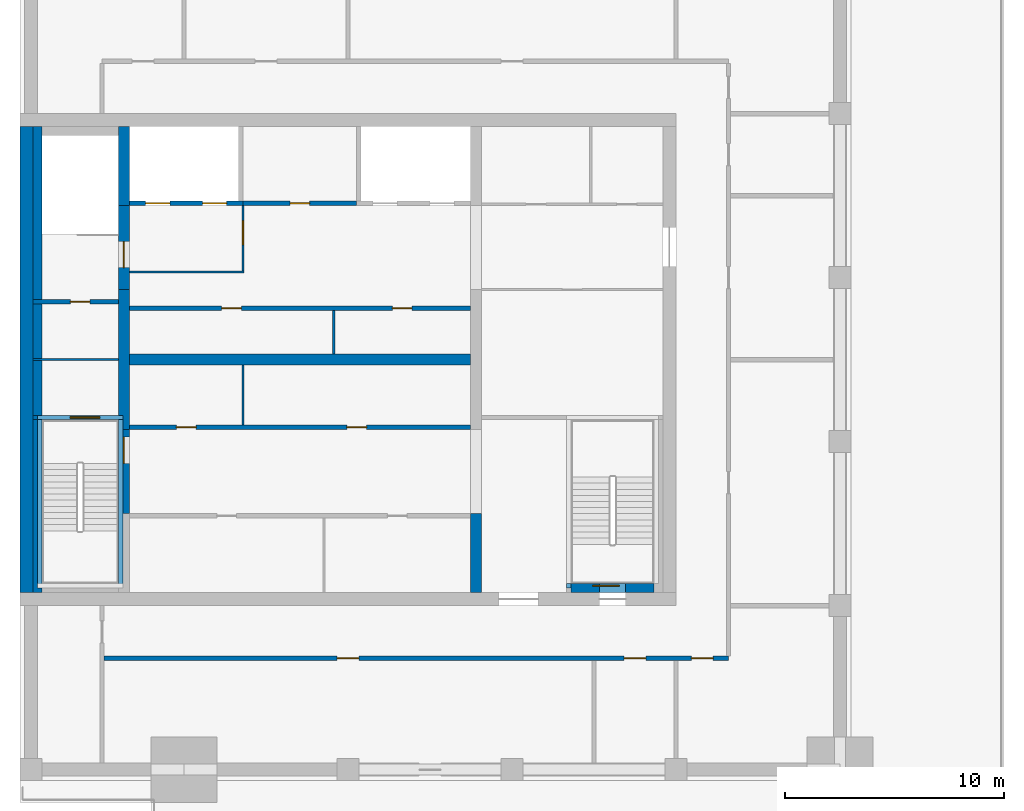
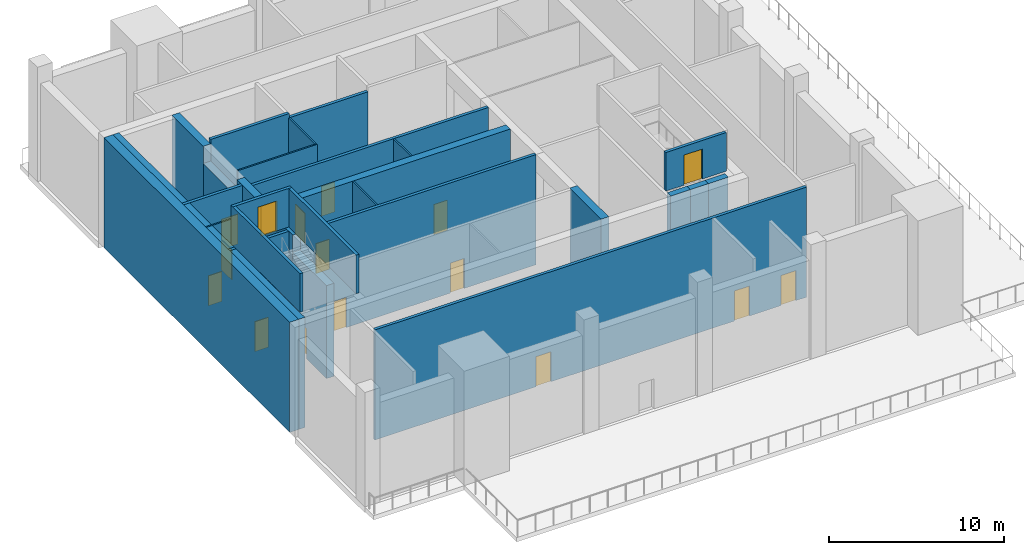
# One storey, part 2 of 7: 27 walls, 17 doors, 17 openings.
"""IFC4 building model written with IfcOpenShell, lengths in metres."""

from ifc_helpers import new_model, si_unit, direction, frame, frame_2d, origin, place, context, subcontext, project, spatial, rectangle, extrude, material, layer, layer_set, type_object, element, fill, save


model = new_model("IFC4")

# Units and contexts
model_context = context("Model", 3, precision=1e-05, world=origin(), true_north=direction((0.0, 1.0)))
body_context = subcontext(model_context, "Body", "Model", "MODEL_VIEW")
ifc_project = project(units=[si_unit("LENGTHUNIT", "METRE"), si_unit("AREAUNIT", "SQUARE_METRE"), si_unit("VOLUMEUNIT", "CUBIC_METRE"), si_unit("PLANEANGLEUNIT", "RADIAN"), si_unit("MASSUNIT", "GRAM", prefix="KILO")], contexts=[model_context])

# Site, building, storey
site_placement = place(None, origin())
site = spatial("IfcSite", under=ifc_project, at=site_placement, CompositionType="ELEMENT")
building_placement = place(site_placement, origin())
building = spatial("IfcBuilding", under=site, at=building_placement, Name="Tamorin Gate", CompositionType="ELEMENT")
storey_placement = place(building_placement, frame((0.0, 0.0, 320.199951171875)))
storey = spatial("IfcBuildingStorey", under=building, at=storey_placement, Name="L78", CompositionType="ELEMENT", Elevation=320.199951171875)

# Walls
ifc_material_1 = material(Name="Concrete C40/50", Category="concrete")
ifc_layer_1 = layer(ifc_material_1, 0.199951171875)
ifc_layer_set_1 = layer_set([ifc_layer_1], Name="Head-house wall 200 EI 120 C40/50")
wall_type_1 = type_object("IfcWallType", Name="Head-house wall 200 EI 120 C40/50", PredefinedType="SOLIDWALL", material=ifc_layer_set_1)
for number, where, z_axis, x_axis, name in (
    (1, (30.89990234375, 60.800048828125, 8.0), (0.0, 0.0, 1.0), (0.0, 1.0, 0.0), "Head-house wall"),
    (2, (34.60009765625, 60.800048828125, 8.0), (0.0, 0.0, 1.0), (0.0, 1.0, 0.0), "Head-house wall"),
):
    element("IfcWall", number, at=place(storey_placement, frame(where, z_axis=z_axis, x_axis=x_axis)), inside=storey, type_object=wall_type_1, Name=name, PredefinedType="SOLIDWALL", context=body_context, shape_type="SweptSolid", body=[
        extrude(rectangle(XDim=7.89990234375, YDim=0.199951171875, at=frame_2d((3.949951171875, 0.0))), origin(), (0.0, 0.0, 1.0), 2.699951171875),
    ])

# Wall, opening, door
wall_1_placement = place(storey_placement, frame((30.800048828125, 68.60009765625, 8.0), z_axis=(0.0, 0.0, 1.0), x_axis=(1.0, 0.0, 0.0)))
wall_1 = element("IfcWall", 3, at=wall_1_placement, inside=storey, type_object=wall_type_1, Name="Head-house wall", PredefinedType="SOLIDWALL", context=body_context, shape_type="SweptSolid", body=[
    extrude(rectangle(XDim=3.89990234375, YDim=0.199951171875, at=frame_2d((1.949951171875, 0.0))), origin(), (0.0, 0.0, 1.0), 2.699951171875),
])
opening_1_placement = place(wall_1_placement, frame((1.64990234375, 0.0, 0.0)))
opening_1 = element("IfcOpeningElement", 4, at=opening_1_placement, cuts=wall_1, Name="Opening DS1", PredefinedType="OPENING", context=body_context, shape_type="SweptSolid", body=[
    extrude(rectangle(XDim=1.199951171875, YDim=2.10009765625, at=frame_2d((0.60009765625, 1.050048828125))), frame((0.0, 0.10986328125, 0.0), z_axis=(0.0, -1.0, 0.0), x_axis=(1.0, 0.0, 0.0)), (0.0, 0.0, 1.0), 0.219970703125),
])
ifc_material_2 = material(Name="Steel fire door", Category="steel")
door_type_1 = type_object("IfcDoorType", Name="Stair door 1200 x 2100 EI 90", OperationType="SINGLE_SWING_LEFT", PredefinedType="DOOR", material=ifc_material_2)
door_1_placement = place(opening_1_placement, origin())
door_1 = element("IfcDoor", 5, at=door_1_placement, inside=storey, type_object=door_type_1, Name="Roof stair door", OperationType="SINGLE_SWING_RIGHT", OverallHeight=2.10009765625, OverallWidth=1.199951171875, PredefinedType="DOOR", context=body_context, shape_type="SweptSolid", body=[
    extrude(rectangle(XDim=1.199951171875, YDim=2.10009765625, at=frame_2d((0.60009765625, 1.050048828125))), frame((0.0, 0.02490234375, 0.0), z_axis=(0.0, -1.0, 0.0), x_axis=(1.0, 0.0, 0.0)), (0.0, 0.0, 1.0), 0.050048828125),
])
fill(opening_1, door_1)

wall_2_placement = place(storey_placement, frame((55.0, 60.89990234375, 8.0), z_axis=(0.0, 0.0, 1.0), x_axis=(1.0, 0.0, 0.0)))
wall_2 = element("IfcWall", 6, at=wall_2_placement, inside=storey, type_object=wall_type_1, Name="Head-house wall", PredefinedType="SOLIDWALL", context=body_context, shape_type="SweptSolid", body=[
    extrude(rectangle(XDim=4.0, YDim=0.199951171875, at=frame_2d((2.0, 0.0))), origin(), (0.0, 0.0, 1.0), 2.699951171875),
])
opening_2_placement = place(wall_2_placement, frame((1.199951171875, 0.0, 0.0)))
opening_2 = element("IfcOpeningElement", 7, at=opening_2_placement, cuts=wall_2, Name="Opening DS1", PredefinedType="OPENING", context=body_context, shape_type="SweptSolid", body=[
    extrude(rectangle(XDim=1.199951171875, YDim=2.10009765625, at=frame_2d((0.60009765625, 1.050048828125))), frame((0.0, 0.10986328125, 0.0), z_axis=(0.0, -1.0, 0.0), x_axis=(1.0, 0.0, 0.0)), (0.0, 0.0, 1.0), 0.219970703125),
])
door_2_placement = place(opening_2_placement, origin())
door_2 = element("IfcDoor", 8, at=door_2_placement, inside=storey, type_object=door_type_1, Name="Roof stair door", OperationType="SINGLE_SWING_LEFT", OverallHeight=2.10009765625, OverallWidth=1.199951171875, PredefinedType="DOOR", context=body_context, shape_type="SweptSolid", body=[
    extrude(rectangle(XDim=1.199951171875, YDim=2.10009765625, at=frame_2d((0.60009765625, 1.050048828125))), frame((0.0, 0.02490234375, 0.0), z_axis=(0.0, -1.0, 0.0), x_axis=(1.0, 0.0, 0.0)), (0.0, 0.0, 1.0), 0.050048828125),
])
fill(opening_2, door_2)

# Wall, openings, doors
ifc_material_3 = material(Name="Concrete C32/40", Category="concrete")
ifc_layer_2 = layer(ifc_material_3, 0.199951171875)
ifc_layer_set_2 = layer_set([ifc_layer_2], Name="Lift lobby face wall 200 EI 120")
wall_type_2 = type_object("IfcWallType", Name="Lift lobby face wall 200 EI 120", PredefinedType="SOLIDWALL", material=ifc_layer_set_2)
wall_3_placement = place(storey_placement, frame((35.0, 78.39990234375, 0.0), z_axis=(0.0, 0.0, 1.0), x_axis=(1.0, 0.0, 0.0)))
wall_3 = element("IfcWall", 9, at=wall_3_placement, inside=storey, type_object=wall_type_2, Name="Lift lobby face wall", PredefinedType="SOLIDWALL", context=body_context, shape_type="SweptSolid", body=[
    extrude(rectangle(XDim=5.199951171875, YDim=0.199951171875, at=frame_2d((2.60009765625, 0.0))), origin(), (0.0, 0.0, 1.0), 8.0),
])
opening_3_placement = place(wall_3_placement, frame((0.75, 0.0, 0.0)))
opening_3 = element("IfcOpeningElement", 10, at=opening_3_placement, cuts=wall_3, Name="Opening LD17", PredefinedType="OPENING", context=body_context, shape_type="SweptSolid", body=[
    extrude(rectangle(XDim=1.10009765625, YDim=2.10009765625, at=frame_2d((0.550048828125, 1.050048828125))), frame((0.0, 0.10986328125, 0.0), z_axis=(0.0, -1.0, 0.0), x_axis=(1.0, 0.0, 0.0)), (0.0, 0.0, 1.0), 0.219970703125),
])
opening_4_placement = place(wall_3_placement, frame((3.35009765625, 0.0, 0.0)))
opening_4 = element("IfcOpeningElement", 11, at=opening_4_placement, cuts=wall_3, Name="Opening LD18", PredefinedType="OPENING", context=body_context, shape_type="SweptSolid", body=[
    extrude(rectangle(XDim=1.10009765625, YDim=2.10009765625, at=frame_2d((0.550048828125, 1.050048828125))), frame((0.0, 0.10986328125, 0.0), z_axis=(0.0, -1.0, 0.0), x_axis=(1.0, 0.0, 0.0)), (0.0, 0.0, 1.0), 0.219970703125),
])
ifc_material_4 = material(Name="Stainless steel sliding door", Category="steel")
door_type_2 = type_object("IfcDoorType", Name="Lift landing door 1100 x 2100 E 90", OperationType="DOUBLE_DOOR_SLIDING", PredefinedType="DOOR", material=ifc_material_4)
door_3_placement = place(opening_3_placement, origin())
door_3 = element("IfcDoor", 12, at=door_3_placement, inside=storey, type_object=door_type_2, Name="FF1 landing door", OperationType="DOUBLE_DOOR_SLIDING", OverallHeight=2.10009765625, OverallWidth=1.10009765625, PredefinedType="DOOR", context=body_context, shape_type="SweptSolid", body=[
    extrude(rectangle(XDim=1.10009765625, YDim=2.10009765625, at=frame_2d((0.550048828125, 1.050048828125))), frame((0.0, 0.02490234375, 0.0), z_axis=(0.0, -1.0, 0.0), x_axis=(1.0, 0.0, 0.0)), (0.0, 0.0, 1.0), 0.050048828125),
])
fill(opening_3, door_3)
door_4_placement = place(opening_4_placement, origin())
door_4 = element("IfcDoor", 13, at=door_4_placement, inside=storey, type_object=door_type_2, Name="FF2 landing door", OperationType="DOUBLE_DOOR_SLIDING", OverallHeight=2.10009765625, OverallWidth=1.10009765625, PredefinedType="DOOR", context=body_context, shape_type="SweptSolid", body=[
    extrude(rectangle(XDim=1.10009765625, YDim=2.10009765625, at=frame_2d((0.550048828125, 1.050048828125))), frame((0.0, 0.02490234375, 0.0), z_axis=(0.0, -1.0, 0.0), x_axis=(1.0, 0.0, 0.0)), (0.0, 0.0, 1.0), 0.050048828125),
])
fill(opening_4, door_4)

# Wall
ifc_material_5 = material(Name="Fire-rated gypsum board partition")
ifc_layer_3 = layer(ifc_material_5, 0.10009765625)
ifc_layer_set_3 = layer_set([ifc_layer_3], Name="Lobby wall 100 EI 60")
wall_type_3 = type_object("IfcWallType", Name="Lobby wall 100 EI 60", PredefinedType="PARTITIONING", material=ifc_layer_set_3)
wall_4_placement = place(storey_placement, frame((35.0, 75.25, 0.0), z_axis=(0.0, 0.0, 1.0), x_axis=(1.0, 0.0, 0.0)))
element("IfcWall", 14, at=wall_4_placement, inside=storey, type_object=wall_type_3, Name="Firefighting lobby wall", PredefinedType="PARTITIONING", context=body_context, shape_type="SweptSolid", body=[
    extrude(rectangle(XDim=5.25, YDim=0.10009765625, at=frame_2d((2.625, 0.0))), origin(), (0.0, 0.0, 1.0), 7.699951171875),
])

# Wall, opening, door
wall_5_placement = place(storey_placement, frame((40.199951171875, 75.300048828125, 0.0), z_axis=(0.0, 0.0, 1.0), x_axis=(0.0, 1.0, 0.0)))
wall_5 = element("IfcWall", 15, at=wall_5_placement, inside=storey, type_object=wall_type_3, Name="Firefighting lobby wall", PredefinedType="PARTITIONING", context=body_context, shape_type="SweptSolid", body=[
    extrude(rectangle(XDim=3.0, YDim=0.10009765625, at=frame_2d((1.5, 0.0))), origin(), (0.0, 0.0, 1.0), 7.699951171875),
])
opening_5_placement = place(wall_5_placement, frame((1.199951171875, 0.0, 0.0)))
opening_5 = element("IfcOpeningElement", 16, at=opening_5_placement, cuts=wall_5, Name="Opening DF1", PredefinedType="OPENING", context=body_context, shape_type="SweptSolid", body=[
    extrude(rectangle(XDim=1.10009765625, YDim=2.10009765625, at=frame_2d((0.550048828125, 1.050048828125))), frame((0.0, 0.06005859375, 0.0), z_axis=(0.0, -1.0, 0.0), x_axis=(1.0, 0.0, 0.0)), (0.0, 0.0, 1.0), 0.1201171875),
])
door_type_3 = type_object("IfcDoorType", Name="Firefighting lobby door 1100 x 2100 EI 90", OperationType="SINGLE_SWING_LEFT", PredefinedType="DOOR", material=ifc_material_2)
door_5_placement = place(opening_5_placement, origin())
door_5 = element("IfcDoor", 17, at=door_5_placement, inside=storey, type_object=door_type_3, Name="Firefighting lobby door", OperationType="SINGLE_SWING_LEFT", OverallHeight=2.10009765625, OverallWidth=1.10009765625, PredefinedType="DOOR", context=body_context, shape_type="SweptSolid", body=[
    extrude(rectangle(XDim=1.10009765625, YDim=2.10009765625, at=frame_2d((0.550048828125, 1.050048828125))), frame((0.0, 0.02490234375, 0.0), z_axis=(0.0, -1.0, 0.0), x_axis=(1.0, 0.0, 0.0)), (0.0, 0.0, 1.0), 0.050048828125),
])
fill(opening_5, door_5)

# Wall, openings, doors
ifc_material_6 = material(Name="Gypsum board partition")
ifc_layer_4 = layer(ifc_material_6, 0.199951171875)
ifc_layer_set_4 = layer_set([ifc_layer_4], Name="Plant and refuge wall 200")
wall_type_4 = type_object("IfcWallType", Name="Plant and refuge wall 200", PredefinedType="PARTITIONING", material=ifc_layer_set_4)
wall_6_placement = place(storey_placement, frame((33.85009765625, 57.60009765625, 0.0), z_axis=(0.0, 0.0, 1.0), x_axis=(1.0, 0.0, 0.0)))
wall_6 = element("IfcWall", 18, at=wall_6_placement, inside=storey, type_object=wall_type_4, Name="Plant and refuge wall 200", PredefinedType="PARTITIONING", context=body_context, shape_type="SweptSolid", body=[
    extrude(rectangle(XDim=28.5498046875, YDim=0.199951171875, at=frame_2d((14.27490234375, 0.0))), origin(), (0.0, 0.0, 1.0), 7.699951171875),
])
opening_6_placement = place(wall_6_placement, frame((10.64990234375, 0.0, 0.0)))
opening_6 = element("IfcOpeningElement", 19, at=opening_6_placement, cuts=wall_6, Name="Opening DCR1002", PredefinedType="OPENING", context=body_context, shape_type="SweptSolid", body=[
    extrude(rectangle(XDim=1.0, YDim=2.10009765625, at=frame_2d((0.5, 1.050048828125))), frame((0.0, 0.10986328125, 0.0), z_axis=(0.0, -1.0, 0.0), x_axis=(1.0, 0.0, 0.0)), (0.0, 0.0, 1.0), 0.219970703125),
])
opening_7_placement = place(wall_6_placement, frame((23.77490234375, 0.0, 0.0)))
opening_7 = element("IfcOpeningElement", 20, at=opening_7_placement, cuts=wall_6, Name="Opening DCR1003", PredefinedType="OPENING", context=body_context, shape_type="SweptSolid", body=[
    extrude(rectangle(XDim=1.0, YDim=2.10009765625, at=frame_2d((0.5, 1.050048828125))), frame((0.0, 0.10986328125, 0.0), z_axis=(0.0, -1.0, 0.0), x_axis=(1.0, 0.0, 0.0)), (0.0, 0.0, 1.0), 0.219970703125),
])
opening_8_placement = place(wall_6_placement, frame((26.85009765625, 0.0, 0.0)))
opening_8 = element("IfcOpeningElement", 21, at=opening_8_placement, cuts=wall_6, Name="Opening DCR1004", PredefinedType="OPENING", context=body_context, shape_type="SweptSolid", body=[
    extrude(rectangle(XDim=1.0, YDim=2.10009765625, at=frame_2d((0.5, 1.050048828125))), frame((0.0, 0.10986328125, 0.0), z_axis=(0.0, -1.0, 0.0), x_axis=(1.0, 0.0, 0.0)), (0.0, 0.0, 1.0), 0.219970703125),
])
ifc_material_7 = material(Name="Timber door leaf", Category="wood")
door_type_4 = type_object("IfcDoorType", Name="Door 1000 x 2100 FD60", OperationType="NOTDEFINED", PredefinedType="DOOR", material=ifc_material_7)
door_6_placement = place(opening_6_placement, origin())
door_6 = element("IfcDoor", 22, at=door_6_placement, inside=storey, type_object=door_type_4, Name="Door DCR1002", OperationType="SINGLE_SWING_RIGHT", OverallHeight=2.10009765625, OverallWidth=1.0, PredefinedType="DOOR", context=body_context, shape_type="SweptSolid", body=[
    extrude(rectangle(XDim=1.0, YDim=2.10009765625, at=frame_2d((0.5, 1.050048828125))), frame((0.0, 0.02490234375, 0.0), z_axis=(0.0, -1.0, 0.0), x_axis=(1.0, 0.0, 0.0)), (0.0, 0.0, 1.0), 0.050048828125),
])
fill(opening_6, door_6)
door_7_placement = place(opening_7_placement, origin())
door_7 = element("IfcDoor", 23, at=door_7_placement, inside=storey, type_object=door_type_4, Name="Door DCR1003", OperationType="SINGLE_SWING_RIGHT", OverallHeight=2.10009765625, OverallWidth=1.0, PredefinedType="DOOR", context=body_context, shape_type="SweptSolid", body=[
    extrude(rectangle(XDim=1.0, YDim=2.10009765625, at=frame_2d((0.5, 1.050048828125))), frame((0.0, 0.02490234375, 0.0), z_axis=(0.0, -1.0, 0.0), x_axis=(1.0, 0.0, 0.0)), (0.0, 0.0, 1.0), 0.050048828125),
])
fill(opening_7, door_7)
door_8_placement = place(opening_8_placement, origin())
door_8 = element("IfcDoor", 24, at=door_8_placement, inside=storey, type_object=door_type_4, Name="Door DCR1004", OperationType="SINGLE_SWING_RIGHT", OverallHeight=2.10009765625, OverallWidth=1.0, PredefinedType="DOOR", context=body_context, shape_type="SweptSolid", body=[
    extrude(rectangle(XDim=1.0, YDim=2.10009765625, at=frame_2d((0.5, 1.050048828125))), frame((0.0, 0.02490234375, 0.0), z_axis=(0.0, -1.0, 0.0), x_axis=(1.0, 0.0, 0.0)), (0.0, 0.0, 1.0), 0.050048828125),
])
fill(opening_8, door_8)

# Walls
ifc_material_8 = material(Name="Concrete C50/60", Category="concrete")
ifc_layer_5 = layer(ifc_material_8, 0.5)
ifc_layer_set_5 = layer_set([ifc_layer_5], Name="RC core internal wall 500 C50/60")
wall_type_5 = type_object("IfcWallType", Name="RC core internal wall 500 C50/60", PredefinedType="SHEAR", material=ifc_layer_set_5)
wall_7_placement = place(storey_placement, frame((35.0, 71.25, 0.0), z_axis=(0.0, 0.0, 1.0), x_axis=(1.0, 0.0, 0.0)))
element("IfcWall", 25, at=wall_7_placement, inside=storey, type_object=wall_type_5, Name="Core spine wall L78", PredefinedType="SHEAR", context=body_context, shape_type="SweptSolid", body=[
    extrude(rectangle(XDim=15.60009765625, YDim=0.5, at=frame_2d((7.800048828125, 0.0))), origin(), (0.0, 0.0, 1.0), 7.699951171875),
])
wall_8_placement = place(storey_placement, frame((34.75, 68.050048828125, 0.0), z_axis=(0.0, 0.0, 1.0), x_axis=(0.0, 1.0, 0.0)))
element("IfcWall", 26, at=wall_8_placement, inside=storey, type_object=wall_type_5, Name="Core cross wall L78", PredefinedType="SHEAR", context=body_context, shape_type="SweptSolid", body=[
    extrude(rectangle(XDim=6.39990234375, YDim=0.5, at=frame_2d((3.199951171875, 0.0))), origin(), (0.0, 0.0, 1.0), 7.699951171875),
])
for number, where, z_axis, x_axis, name in (
    (27, (34.75, 78.300048828125, 0.0), (0.0, 0.0, 1.0), (0.0, 1.0, 0.0), "Core cross wall L78"),
    (28, (50.85009765625, 60.60009765625, 0.0), (0.0, 0.0, 1.0), (0.0, 1.0, 0.0), "Core cross wall L78"),
):
    element("IfcWall", number, at=place(storey_placement, frame(where, z_axis=z_axis, x_axis=x_axis)), inside=storey, type_object=wall_type_5, Name=name, PredefinedType="SHEAR", context=body_context, shape_type="SweptSolid", body=[
        extrude(rectangle(XDim=3.599853515625, YDim=0.5, at=frame_2d((1.7998046875, 0.0))), origin(), (0.0, 0.0, 1.0), 7.699951171875),
    ])
ifc_layer_6 = layer(ifc_material_8, 0.60009765625)
ifc_layer_set_6 = layer_set([ifc_layer_6], Name="RC core wall 600 C50/60")
wall_type_6 = type_object("IfcWallType", Name="RC core wall 600 C50/60", PredefinedType="SHEAR", material=ifc_layer_set_6)
wall_9_placement = place(storey_placement, frame((30.300048828125, 60.60009765625, 0.0), z_axis=(0.0, 0.0, 1.0), x_axis=(0.0, 1.0, 0.0)))
element("IfcWall", 29, at=wall_9_placement, inside=storey, type_object=wall_type_6, Name="Core wall L78", PredefinedType="SHEAR", context=body_context, shape_type="SweptSolid", body=[
    extrude(rectangle(XDim=21.2998046875, YDim=0.60009765625, at=frame_2d((10.64990234375, 0.0))), origin(), (0.0, 0.0, 1.0), 7.699951171875),
])
ifc_layer_7 = layer(ifc_material_5, 0.10009765625)
ifc_layer_set_7 = layer_set([ifc_layer_7], Name="Riser partition 100 EI 120")
wall_type_7 = type_object("IfcWallType", Name="Riser partition 100 EI 120", PredefinedType="PARTITIONING", material=ifc_layer_set_7)
wall_10_placement = place(storey_placement, frame((30.60009765625, 71.25, 0.0), z_axis=(0.0, 0.0, 1.0), x_axis=(1.0, 0.0, 0.0)))
element("IfcWall", 30, at=wall_10_placement, inside=storey, type_object=wall_type_7, Name="Riser partition", PredefinedType="PARTITIONING", context=body_context, shape_type="SweptSolid", body=[
    extrude(rectangle(XDim=3.89990234375, YDim=0.10009765625, at=frame_2d((1.949951171875, 0.0))), origin(), (0.0, 0.0, 1.0), 7.699951171875),
])

# Wall, openings, doors
ifc_layer_8 = layer(ifc_material_6, 0.199951171875)
ifc_layer_set_8 = layer_set([ifc_layer_8], Name="Service room face wall 200 EI 60")
wall_type_8 = type_object("IfcWallType", Name="Service room face wall 200 EI 60", PredefinedType="PARTITIONING", material=ifc_layer_set_8)
wall_11_placement = place(storey_placement, frame((35.0, 68.14990234375, 0.0), z_axis=(0.0, 0.0, 1.0), x_axis=(1.0, 0.0, 0.0)))
wall_11 = element("IfcWall", 31, at=wall_11_placement, inside=storey, type_object=wall_type_8, Name="Service room face wall", PredefinedType="PARTITIONING", context=body_context, shape_type="SweptSolid", body=[
    extrude(rectangle(XDim=15.60009765625, YDim=0.199951171875, at=frame_2d((7.800048828125, 0.0))), origin(), (0.0, 0.0, 1.0), 7.699951171875),
])
opening_9_placement = place(wall_11_placement, frame((2.14990234375, 0.0, 0.0)))
opening_9 = element("IfcOpeningElement", 32, at=opening_9_placement, cuts=wall_11, Name="Opening DK1", PredefinedType="OPENING", context=body_context, shape_type="SweptSolid", body=[
    extrude(rectangle(XDim=0.89990234375, YDim=2.10009765625, at=frame_2d((0.449951171875, 1.050048828125))), frame((0.0, 0.10986328125, 0.0), z_axis=(0.0, -1.0, 0.0), x_axis=(1.0, 0.0, 0.0)), (0.0, 0.0, 1.0), 0.219970703125),
])
opening_10_placement = place(wall_11_placement, frame((9.949951171875, 0.0, 0.0)))
opening_10 = element("IfcOpeningElement", 33, at=opening_10_placement, cuts=wall_11, Name="Opening DK1", PredefinedType="OPENING", context=body_context, shape_type="SweptSolid", body=[
    extrude(rectangle(XDim=0.89990234375, YDim=2.10009765625, at=frame_2d((0.449951171875, 1.050048828125))), frame((0.0, 0.10986328125, 0.0), z_axis=(0.0, -1.0, 0.0), x_axis=(1.0, 0.0, 0.0)), (0.0, 0.0, 1.0), 0.219970703125),
])
ifc_material_9 = material(Name="Timber fire door", Category="wood")
door_type_5 = type_object("IfcDoorType", Name="Service room door 900 x 2100 EI 60", OperationType="SINGLE_SWING_LEFT", PredefinedType="DOOR", material=ifc_material_9)
door_9_placement = place(opening_9_placement, origin())
door_9 = element("IfcDoor", 34, at=door_9_placement, inside=storey, type_object=door_type_5, Name="Door Telecom room", OperationType="SINGLE_SWING_RIGHT", OverallHeight=2.10009765625, OverallWidth=0.89990234375, PredefinedType="DOOR", context=body_context, shape_type="SweptSolid", body=[
    extrude(rectangle(XDim=0.89990234375, YDim=2.10009765625, at=frame_2d((0.449951171875, 1.050048828125))), frame((0.0, 0.02490234375, 0.0), z_axis=(0.0, -1.0, 0.0), x_axis=(1.0, 0.0, 0.0)), (0.0, 0.0, 1.0), 0.050048828125),
])
fill(opening_9, door_9)
door_10_placement = place(opening_10_placement, origin())
door_10 = element("IfcDoor", 35, at=door_10_placement, inside=storey, type_object=door_type_5, Name="Door Pump room", OperationType="SINGLE_SWING_LEFT", OverallHeight=2.10009765625, OverallWidth=0.89990234375, PredefinedType="DOOR", context=body_context, shape_type="SweptSolid", body=[
    extrude(rectangle(XDim=0.89990234375, YDim=2.10009765625, at=frame_2d((0.449951171875, 1.050048828125))), frame((0.0, 0.02490234375, 0.0), z_axis=(0.0, -1.0, 0.0), x_axis=(1.0, 0.0, 0.0)), (0.0, 0.0, 1.0), 0.050048828125),
])
fill(opening_10, door_10)

wall_12_placement = place(storey_placement, frame((35.0, 73.60009765625, 0.0), z_axis=(0.0, 0.0, 1.0), x_axis=(1.0, 0.0, 0.0)))
wall_12 = element("IfcWall", 36, at=wall_12_placement, inside=storey, type_object=wall_type_8, Name="Service room face wall", PredefinedType="PARTITIONING", context=body_context, shape_type="SweptSolid", body=[
    extrude(rectangle(XDim=15.60009765625, YDim=0.199951171875, at=frame_2d((7.800048828125, 0.0))), origin(), (0.0, 0.0, 1.0), 7.699951171875),
])
opening_11_placement = place(wall_12_placement, frame((4.22509765625, 0.0, 0.0)))
opening_11 = element("IfcOpeningElement", 37, at=opening_11_placement, cuts=wall_12, Name="Opening DK1", PredefinedType="OPENING", context=body_context, shape_type="SweptSolid", body=[
    extrude(rectangle(XDim=0.89990234375, YDim=2.10009765625, at=frame_2d((0.449951171875, 1.050048828125))), frame((0.0, 0.10986328125, 0.0), z_axis=(0.0, -1.0, 0.0), x_axis=(1.0, 0.0, 0.0)), (0.0, 0.0, 1.0), 0.219970703125),
])
opening_12_placement = place(wall_12_placement, frame((12.02490234375, 0.0, 0.0)))
opening_12 = element("IfcOpeningElement", 38, at=opening_12_placement, cuts=wall_12, Name="Opening DK1", PredefinedType="OPENING", context=body_context, shape_type="SweptSolid", body=[
    extrude(rectangle(XDim=0.89990234375, YDim=2.10009765625, at=frame_2d((0.449951171875, 1.050048828125))), frame((0.0, 0.10986328125, 0.0), z_axis=(0.0, -1.0, 0.0), x_axis=(1.0, 0.0, 0.0)), (0.0, 0.0, 1.0), 0.219970703125),
])
door_11_placement = place(opening_11_placement, origin())
door_11 = element("IfcDoor", 39, at=door_11_placement, inside=storey, type_object=door_type_5, Name="Door Cooling riser room", OperationType="SINGLE_SWING_RIGHT", OverallHeight=2.10009765625, OverallWidth=0.89990234375, PredefinedType="DOOR", context=body_context, shape_type="SweptSolid", body=[
    extrude(rectangle(XDim=0.89990234375, YDim=2.10009765625, at=frame_2d((0.449951171875, 1.050048828125))), frame((0.0, 0.02490234375, 0.0), z_axis=(0.0, -1.0, 0.0), x_axis=(1.0, 0.0, 0.0)), (0.0, 0.0, 1.0), 0.050048828125),
])
fill(opening_11, door_11)
door_12_placement = place(opening_12_placement, origin())
door_12 = element("IfcDoor", 40, at=door_12_placement, inside=storey, type_object=door_type_5, Name="Door Smoke extract riser room", OperationType="SINGLE_SWING_LEFT", OverallHeight=2.10009765625, OverallWidth=0.89990234375, PredefinedType="DOOR", context=body_context, shape_type="SweptSolid", body=[
    extrude(rectangle(XDim=0.89990234375, YDim=2.10009765625, at=frame_2d((0.449951171875, 1.050048828125))), frame((0.0, 0.02490234375, 0.0), z_axis=(0.0, -1.0, 0.0), x_axis=(1.0, 0.0, 0.0)), (0.0, 0.0, 1.0), 0.050048828125),
])
fill(opening_12, door_12)

# Wall, opening, door
wall_13_placement = place(storey_placement, frame((40.199951171875, 78.39990234375, 0.0), z_axis=(0.0, 0.0, 1.0), x_axis=(1.0, 0.0, 0.0)))
wall_13 = element("IfcWall", 41, at=wall_13_placement, inside=storey, type_object=wall_type_8, Name="Service room face wall", PredefinedType="PARTITIONING", context=body_context, shape_type="SweptSolid", body=[
    extrude(rectangle(XDim=5.199951171875, YDim=0.199951171875, at=frame_2d((2.60009765625, 0.0))), origin(), (0.0, 0.0, 1.0), 7.699951171875),
])
opening_13_placement = place(wall_13_placement, frame((2.14990234375, 0.0, 0.0)))
opening_13 = element("IfcOpeningElement", 42, at=opening_13_placement, cuts=wall_13, Name="Opening DK1", PredefinedType="OPENING", context=body_context, shape_type="SweptSolid", body=[
    extrude(rectangle(XDim=0.89990234375, YDim=2.10009765625, at=frame_2d((0.449951171875, 1.050048828125))), frame((0.0, 0.10986328125, 0.0), z_axis=(0.0, -1.0, 0.0), x_axis=(1.0, 0.0, 0.0)), (0.0, 0.0, 1.0), 0.219970703125),
])
door_13_placement = place(opening_13_placement, origin())
door_13 = element("IfcDoor", 43, at=door_13_placement, inside=storey, type_object=door_type_5, Name="Door Fire pump room", OperationType="SINGLE_SWING_RIGHT", OverallHeight=2.10009765625, OverallWidth=0.89990234375, PredefinedType="DOOR", context=body_context, shape_type="SweptSolid", body=[
    extrude(rectangle(XDim=0.89990234375, YDim=2.10009765625, at=frame_2d((0.449951171875, 1.050048828125))), frame((0.0, 0.02490234375, 0.0), z_axis=(0.0, -1.0, 0.0), x_axis=(1.0, 0.0, 0.0)), (0.0, 0.0, 1.0), 0.050048828125),
])
fill(opening_13, door_13)

# Walls
ifc_layer_9 = layer(ifc_material_6, 0.10009765625)
ifc_layer_set_9 = layer_set([ifc_layer_9], Name="Service room partition 100 EI 60")
wall_type_9 = type_object("IfcWallType", Name="Service room partition 100 EI 60", PredefinedType="PARTITIONING", material=ifc_layer_set_9)
wall_14_placement = place(storey_placement, frame((40.199951171875, 68.25, 0.0), z_axis=(0.0, 0.0, 1.0), x_axis=(0.0, 1.0, 0.0)))
element("IfcWall", 44, at=wall_14_placement, inside=storey, type_object=wall_type_9, Name="Service room partition", PredefinedType="PARTITIONING", context=body_context, shape_type="SweptSolid", body=[
    extrude(rectangle(XDim=2.75, YDim=0.10009765625, at=frame_2d((1.375, 0.0))), origin(), (0.0, 0.0, 1.0), 7.699951171875),
])
wall_15_placement = place(storey_placement, frame((44.35009765625, 71.5, 0.0), z_axis=(0.0, 0.0, 1.0), x_axis=(0.0, 1.0, 0.0)))
element("IfcWall", 45, at=wall_15_placement, inside=storey, type_object=wall_type_9, Name="Service room partition", PredefinedType="PARTITIONING", context=body_context, shape_type="SweptSolid", body=[
    extrude(rectangle(XDim=2.0, YDim=0.10009765625, at=frame_2d((1.0, 0.0))), origin(), (0.0, 0.0, 1.0), 7.699951171875),
])

# Wall, opening, door
ifc_layer_10 = layer(ifc_material_1, 0.199951171875)
ifc_layer_set_10 = layer_set([ifc_layer_10], Name="Stair enclosure wall 200 EI 120 C40/50")
wall_type_10 = type_object("IfcWallType", Name="Stair enclosure wall 200 EI 120 C40/50", PredefinedType="SOLIDWALL", material=ifc_layer_set_10)
wall_16_placement = place(storey_placement, frame((30.60009765625, 68.60009765625, 0.0), z_axis=(0.0, 0.0, 1.0), x_axis=(1.0, 0.0, 0.0)))
wall_16 = element("IfcWall", 46, at=wall_16_placement, inside=storey, type_object=wall_type_10, Name="Stair enclosure wall", PredefinedType="SOLIDWALL", context=body_context, shape_type="SweptSolid", body=[
    extrude(rectangle(XDim=3.89990234375, YDim=0.199951171875, at=frame_2d((1.949951171875, 0.0))), origin(), (0.0, 0.0, 1.0), 7.699951171875),
])
opening_14_placement = place(wall_16_placement, frame((1.699951171875, 0.0, 0.0)))
opening_14 = element("IfcOpeningElement", 47, at=opening_14_placement, cuts=wall_16, Name="Opening DR1", PredefinedType="OPENING", context=body_context, shape_type="SweptSolid", body=[
    extrude(rectangle(XDim=0.89990234375, YDim=2.10009765625, at=frame_2d((0.449951171875, 1.050048828125))), frame((0.0, 0.10986328125, 0.0), z_axis=(0.0, -1.0, 0.0), x_axis=(1.0, 0.0, 0.0)), (0.0, 0.0, 1.0), 0.219970703125),
])
door_type_6 = type_object("IfcDoorType", Name="Riser access door 900 x 2100 EI 120", OperationType="SINGLE_SWING_LEFT", PredefinedType="DOOR", material=ifc_material_2)
door_14_placement = place(opening_14_placement, origin())
door_14 = element("IfcDoor", 48, at=door_14_placement, inside=storey, type_object=door_type_6, Name="Electrical riser door", OperationType="SINGLE_SWING_LEFT", OverallHeight=2.10009765625, OverallWidth=0.89990234375, PredefinedType="DOOR", context=body_context, shape_type="SweptSolid", body=[
    extrude(rectangle(XDim=0.89990234375, YDim=2.10009765625, at=frame_2d((0.449951171875, 1.050048828125))), frame((0.0, 0.02490234375, 0.0), z_axis=(0.0, -1.0, 0.0), x_axis=(1.0, 0.0, 0.0)), (0.0, 0.0, 1.0), 0.050048828125),
])
fill(opening_14, door_14)

wall_17_placement = place(storey_placement, frame((30.60009765625, 73.89990234375, 0.0), z_axis=(0.0, 0.0, 1.0), x_axis=(1.0, 0.0, 0.0)))
wall_17 = element("IfcWall", 49, at=wall_17_placement, inside=storey, type_object=wall_type_10, Name="Stair enclosure wall", PredefinedType="SOLIDWALL", context=body_context, shape_type="SweptSolid", body=[
    extrude(rectangle(XDim=3.89990234375, YDim=0.199951171875, at=frame_2d((1.949951171875, 0.0))), origin(), (0.0, 0.0, 1.0), 7.699951171875),
])
opening_15_placement = place(wall_17_placement, frame((1.699951171875, 0.0, 0.0)))
opening_15 = element("IfcOpeningElement", 50, at=opening_15_placement, cuts=wall_17, Name="Opening DR1", PredefinedType="OPENING", context=body_context, shape_type="SweptSolid", body=[
    extrude(rectangle(XDim=0.89990234375, YDim=2.10009765625, at=frame_2d((0.449951171875, 1.050048828125))), frame((0.0, 0.10986328125, 0.0), z_axis=(0.0, -1.0, 0.0), x_axis=(1.0, 0.0, 0.0)), (0.0, 0.0, 1.0), 0.219970703125),
])
door_15_placement = place(opening_15_placement, origin())
door_15 = element("IfcDoor", 51, at=door_15_placement, inside=storey, type_object=door_type_6, Name="Communications riser door", OperationType="SINGLE_SWING_RIGHT", OverallHeight=2.10009765625, OverallWidth=0.89990234375, PredefinedType="DOOR", context=body_context, shape_type="SweptSolid", body=[
    extrude(rectangle(XDim=0.89990234375, YDim=2.10009765625, at=frame_2d((0.449951171875, 1.050048828125))), frame((0.0, 0.02490234375, 0.0), z_axis=(0.0, -1.0, 0.0), x_axis=(1.0, 0.0, 0.0)), (0.0, 0.0, 1.0), 0.050048828125),
])
fill(opening_15, door_15)

# Walls
ifc_layer_11 = layer(ifc_material_8, 0.39990234375)
ifc_layer_set_11 = layer_set([ifc_layer_11], Name="Stair lining wall 400 EI 120 C50/60")
wall_type_11 = type_object("IfcWallType", Name="Stair lining wall 400 EI 120 C50/60", PredefinedType="SOLIDWALL", material=ifc_layer_set_11)
wall_18_placement = place(storey_placement, frame((30.800048828125, 60.60009765625, 0.0), z_axis=(0.0, 0.0, 1.0), x_axis=(0.0, 1.0, 0.0)))
element("IfcWall", 52, at=wall_18_placement, inside=storey, type_object=wall_type_11, Name="Stair lining wall", PredefinedType="SOLIDWALL", context=body_context, shape_type="SweptSolid", body=[
    extrude(rectangle(XDim=21.2998046875, YDim=0.39990234375, at=frame_2d((10.64990234375, 0.0))), origin(), (0.0, 0.0, 1.0), 7.699951171875),
])
for number, where, z_axis, x_axis, name in (
    (53, (55.199951171875, 60.800048828125, 0.0), (0.0, 0.0, 1.0), (1.0, 0.0, 0.0), "Stair lining wall"),
    (54, (57.699951171875, 60.800048828125, 0.0), (0.0, 0.0, 1.0), (1.0, 0.0, 0.0), "Stair lining wall"),
):
    element("IfcWall", number, at=place(storey_placement, frame(where, z_axis=z_axis, x_axis=x_axis)), inside=storey, type_object=wall_type_11, Name=name, PredefinedType="SOLIDWALL", context=body_context, shape_type="SweptSolid", body=[
        extrude(rectangle(XDim=1.300048828125, YDim=0.39990234375, at=frame_2d((0.64990234375, 0.0))), origin(), (0.0, 0.0, 1.0), 7.699951171875),
    ])
wall_19_placement = place(storey_placement, frame((56.5, 60.800048828125, 3.199951171875), z_axis=(0.0, 0.0, 1.0), x_axis=(1.0, 0.0, 0.0)))
element("IfcWall", 55, at=wall_19_placement, inside=storey, type_object=wall_type_11, Name="Stair lining wall", PredefinedType="SOLIDWALL", context=body_context, shape_type="SweptSolid", body=[
    extrude(rectangle(XDim=1.199951171875, YDim=0.39990234375, at=frame_2d((0.60009765625, 0.0))), origin(), (0.0, 0.0, 1.0), 4.5),
])

# Wall, opening, door
ifc_layer_12 = layer(ifc_material_3, 0.5)
ifc_layer_set_12 = layer_set([ifc_layer_12], Name="Stair lobby infill wall 500 EI 120")
wall_type_12 = type_object("IfcWallType", Name="Stair lobby infill wall 500 EI 120", PredefinedType="SOLIDWALL", material=ifc_layer_set_12)
wall_20_placement = place(storey_placement, frame((34.75, 64.199951171875, 0.0), z_axis=(0.0, 0.0, 1.0), x_axis=(0.0, 1.0, 0.0)))
wall_20 = element("IfcWall", 56, at=wall_20_placement, inside=storey, type_object=wall_type_12, Name="Stair lobby infill wall", PredefinedType="SOLIDWALL", context=body_context, shape_type="SweptSolid", body=[
    extrude(rectangle(XDim=3.85009765625, YDim=0.5, at=frame_2d((1.925048828125, 0.0))), origin(), (0.0, 0.0, 1.0), 6.5),
])
opening_16_placement = place(wall_20_placement, frame((2.300048828125, 0.0, 0.0)))
opening_16 = element("IfcOpeningElement", 57, at=opening_16_placement, cuts=wall_20, Name="Opening DS1", PredefinedType="OPENING", context=body_context, shape_type="SweptSolid", body=[
    extrude(rectangle(XDim=1.199951171875, YDim=2.10009765625, at=frame_2d((0.60009765625, 1.050048828125))), frame((0.0, 0.260009765625, 0.0), z_axis=(0.0, -1.0, 0.0), x_axis=(1.0, 0.0, 0.0)), (0.0, 0.0, 1.0), 0.52001953125),
])
door_16_placement = place(opening_16_placement, origin())
door_16 = element("IfcDoor", 58, at=door_16_placement, inside=storey, type_object=door_type_1, Name="ST1 door", OperationType="SINGLE_SWING_LEFT", OverallHeight=2.10009765625, OverallWidth=1.199951171875, PredefinedType="DOOR", context=body_context, shape_type="SweptSolid", body=[
    extrude(rectangle(XDim=1.199951171875, YDim=2.10009765625, at=frame_2d((0.60009765625, 1.050048828125))), frame((0.0, 0.02490234375, 0.0), z_axis=(0.0, -1.0, 0.0), x_axis=(1.0, 0.0, 0.0)), (0.0, 0.0, 1.0), 0.050048828125),
])
fill(opening_16, door_16)

wall_21_placement = place(storey_placement, frame((34.75, 74.449951171875, 0.0), z_axis=(0.0, 0.0, 1.0), x_axis=(0.0, 1.0, 0.0)))
wall_21 = element("IfcWall", 59, at=wall_21_placement, inside=storey, type_object=wall_type_12, Name="Stair lobby infill wall", PredefinedType="SOLIDWALL", context=body_context, shape_type="SweptSolid", body=[
    extrude(rectangle(XDim=3.85009765625, YDim=0.5, at=frame_2d((1.925048828125, 0.0))), origin(), (0.0, 0.0, 1.0), 6.5),
])
opening_17_placement = place(wall_21_placement, frame((1.0, 0.0, 0.0)))
opening_17 = element("IfcOpeningElement", 60, at=opening_17_placement, cuts=wall_21, Name="Opening DS1", PredefinedType="OPENING", context=body_context, shape_type="SweptSolid", body=[
    extrude(rectangle(XDim=1.199951171875, YDim=2.10009765625, at=frame_2d((0.60009765625, 1.050048828125))), frame((0.0, 0.260009765625, 0.0), z_axis=(0.0, -1.0, 0.0), x_axis=(1.0, 0.0, 0.0)), (0.0, 0.0, 1.0), 0.52001953125),
])
door_17_placement = place(opening_17_placement, origin())
door_17 = element("IfcDoor", 61, at=door_17_placement, inside=storey, type_object=door_type_1, Name="ST2 door", OperationType="SINGLE_SWING_RIGHT", OverallHeight=2.10009765625, OverallWidth=1.199951171875, PredefinedType="DOOR", context=body_context, shape_type="SweptSolid", body=[
    extrude(rectangle(XDim=1.199951171875, YDim=2.10009765625, at=frame_2d((0.60009765625, 1.050048828125))), frame((0.0, 0.02490234375, 0.0), z_axis=(0.0, -1.0, 0.0), x_axis=(1.0, 0.0, 0.0)), (0.0, 0.0, 1.0), 0.050048828125),
])
fill(opening_17, door_17)

save(model, "model.ifc")
